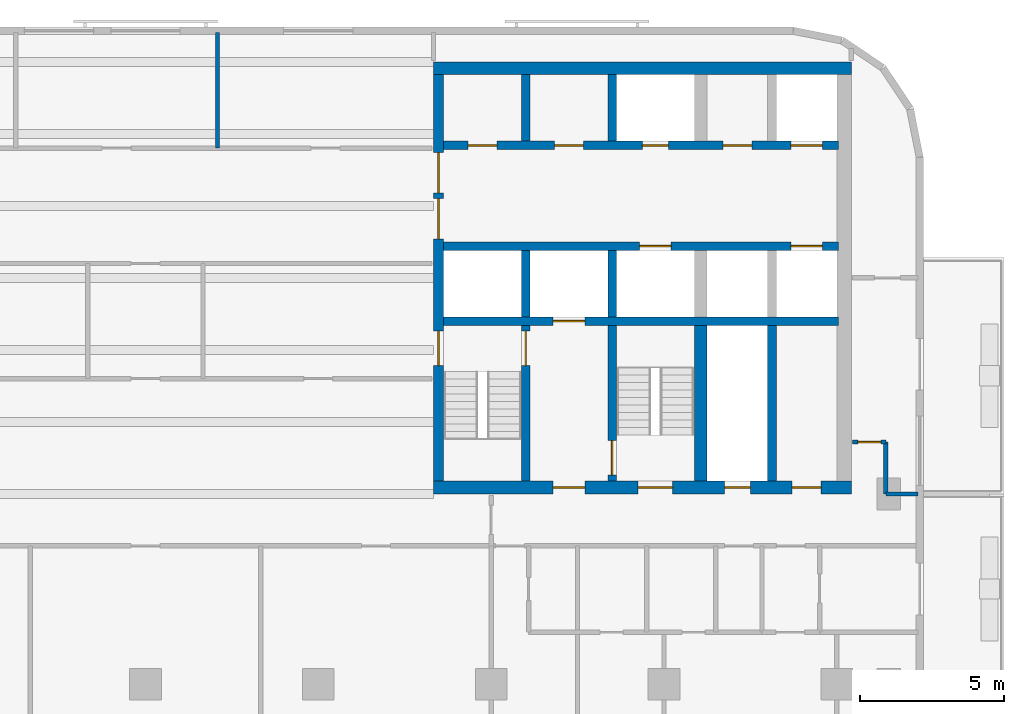
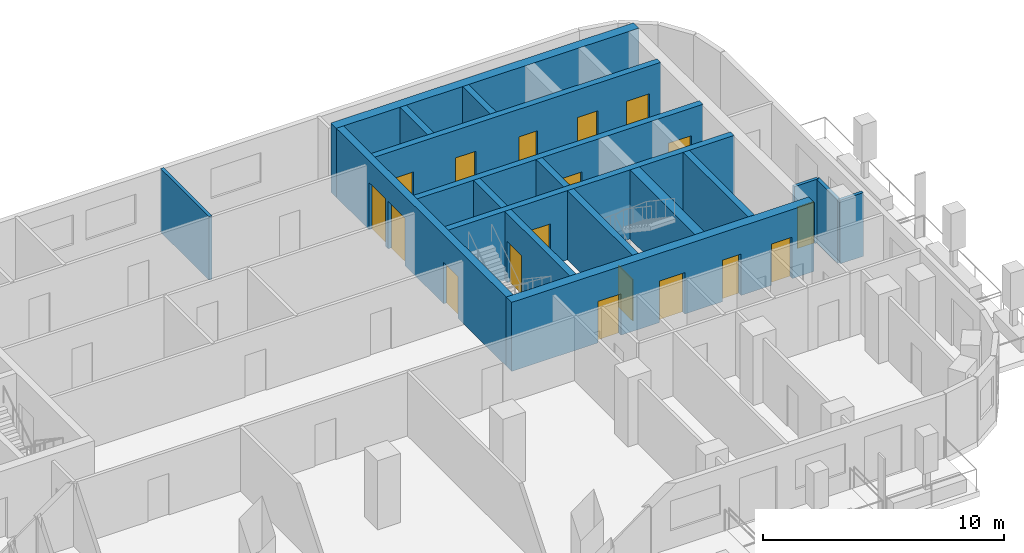
# One storey, part 6 of 11: 18 doors, 18 walls, 18 openings.
"""IFC4 building model written with IfcOpenShell, lengths in metres."""

from ifc_helpers import new_model, si_unit, direction, frame, frame_2d, origin, place, context, subcontext, project, spatial, rectangle, extrude, material, layer, layer_set, type_object, element, fill, save


model = new_model("IFC4")

# Units and contexts
model_context = context("Model", 3, precision=1e-05, world=origin(), true_north=direction((0.0, 1.0)))
body_context = subcontext(model_context, "Body", "Model", "MODEL_VIEW")
ifc_project = project(units=[si_unit("LENGTHUNIT", "METRE"), si_unit("AREAUNIT", "SQUARE_METRE"), si_unit("VOLUMEUNIT", "CUBIC_METRE"), si_unit("PLANEANGLEUNIT", "RADIAN"), si_unit("MASSUNIT", "GRAM", prefix="KILO")], contexts=[model_context])

# Site, building, storey
site_placement = place(None, origin())
site = spatial("IfcSite", under=ifc_project, at=site_placement, CompositionType="ELEMENT")
building_placement = place(site_placement, origin())
building = spatial("IfcBuilding", under=site, at=building_placement, Name="Torana Hotel and Residences", CompositionType="ELEMENT")
storey_placement = place(building_placement, frame((0.0, 0.0, 187.10009765625)))
storey = spatial("IfcBuildingStorey", under=building, at=storey_placement, Name="L48", CompositionType="ELEMENT", Elevation=187.10009765625)

# Wall, openings, doors
ifc_material_1 = material(Name="Concrete C70/85", Category="concrete")
ifc_layer_1 = layer(ifc_material_1, 0.300048828125)
ifc_layer_set_1 = layer_set([ifc_layer_1], Name="CORE WALL 300 C70/85")
wall_type_1 = type_object("IfcWallType", Name="CORE WALL 300 C70/85", PredefinedType="SHEAR", material=ifc_layer_set_1)
wall_1_placement = place(storey_placement, frame((10.35009765625, -2.89990234375, 0.0), z_axis=(0.0, 0.0, 1.0), x_axis=(1.0, 0.0, 0.0)))
wall_1 = element("IfcWall", 1, at=wall_1_placement, inside=storey, type_object=wall_type_1, Name="Core wall E row-N", PredefinedType="SHEAR", context=body_context, shape_type="SweptSolid", body=[
    extrude(rectangle(XDim=13.699951171875, YDim=0.300048828125, at=frame_2d((6.85009765625, 0.0))), origin(), (0.0, 0.0, 1.0), 3.5),
])
opening_1_placement = place(wall_1_placement, frame((12.050048828125, 0.0, 0.0)))
opening_1 = element("IfcOpeningElement", 2, at=opening_1_placement, cuts=wall_1, Name="Opening LD", PredefinedType="OPENING", context=body_context, shape_type="SweptSolid", body=[
    extrude(rectangle(XDim=1.10009765625, YDim=2.10009765625, at=frame_2d((0.550048828125, 1.050048828125))), frame((0.0, 0.159912109375, 0.0), z_axis=(0.0, -1.0, 0.0), x_axis=(1.0, 0.0, 0.0)), (0.0, 0.0, 1.0), 0.320068359375),
])
opening_2_placement = place(wall_1_placement, frame((6.89990234375, 0.0, 0.0)))
opening_2 = element("IfcOpeningElement", 3, at=opening_2_placement, cuts=wall_1, Name="Opening L48-21", PredefinedType="OPENING", context=body_context, shape_type="SweptSolid", body=[
    extrude(rectangle(XDim=0.89990234375, YDim=2.10009765625, at=frame_2d((0.449951171875, 1.050048828125))), frame((0.0, 0.159912109375, 0.0), z_axis=(0.0, -1.0, 0.0), x_axis=(1.0, 0.0, 0.0)), (0.0, 0.0, 1.0), 0.320068359375),
])
opening_3_placement = place(wall_1_placement, frame((0.85009765625, 0.0, 0.0)))
opening_3 = element("IfcOpeningElement", 4, at=opening_3_placement, cuts=wall_1, Name="Opening L48-22", PredefinedType="OPENING", context=body_context, shape_type="SweptSolid", body=[
    extrude(rectangle(XDim=1.0, YDim=2.10009765625, at=frame_2d((0.5, 1.050048828125))), frame((0.0, 0.159912109375, 0.0), z_axis=(0.0, -1.0, 0.0), x_axis=(1.0, 0.0, 0.0)), (0.0, 0.0, 1.0), 0.320068359375),
])
opening_4_placement = place(wall_1_placement, frame((3.85009765625, 0.0, 0.0)))
opening_4 = element("IfcOpeningElement", 5, at=opening_4_placement, cuts=wall_1, Name="Opening L48-23", PredefinedType="OPENING", context=body_context, shape_type="SweptSolid", body=[
    extrude(rectangle(XDim=1.0, YDim=2.10009765625, at=frame_2d((0.5, 1.050048828125))), frame((0.0, 0.159912109375, 0.0), z_axis=(0.0, -1.0, 0.0), x_axis=(1.0, 0.0, 0.0)), (0.0, 0.0, 1.0), 0.320068359375),
])
opening_5_placement = place(wall_1_placement, frame((9.699951171875, 0.0, 0.0)))
opening_5 = element("IfcOpeningElement", 6, at=opening_5_placement, cuts=wall_1, Name="Opening L48-24", PredefinedType="OPENING", context=body_context, shape_type="SweptSolid", body=[
    extrude(rectangle(XDim=1.0, YDim=2.10009765625, at=frame_2d((0.5, 1.050048828125))), frame((0.0, 0.159912109375, 0.0), z_axis=(0.0, -1.0, 0.0), x_axis=(1.0, 0.0, 0.0)), (0.0, 0.0, 1.0), 0.320068359375),
])
ifc_material_2 = material(Name="Steel S235", Category="steel")
door_type_1 = type_object("IfcDoorType", Name="CORE ROOM FIRE DOOR D14 1000x2100", OperationType="SINGLE_SWING_LEFT", PredefinedType="DOOR", material=ifc_material_2)
door_1_placement = place(opening_3_placement, origin())
door_1 = element("IfcDoor", 7, at=door_1_placement, inside=storey, type_object=door_type_1, Name="N0 door L48", OperationType="SINGLE_SWING_RIGHT", OverallHeight=2.10009765625, OverallWidth=1.0, PredefinedType="DOOR", context=body_context, shape_type="SweptSolid", body=[
    extrude(rectangle(XDim=1.0, YDim=2.10009765625, at=frame_2d((0.5, 1.050048828125))), frame((0.0, 0.02490234375, 0.0), z_axis=(0.0, -1.0, 0.0), x_axis=(1.0, 0.0, 0.0)), (0.0, 0.0, 1.0), 0.050048828125),
])
fill(opening_3, door_1)
door_2_placement = place(opening_4_placement, origin())
door_2 = element("IfcDoor", 8, at=door_2_placement, inside=storey, type_object=door_type_1, Name="N1 door L48", OperationType="SINGLE_SWING_RIGHT", OverallHeight=2.10009765625, OverallWidth=1.0, PredefinedType="DOOR", context=body_context, shape_type="SweptSolid", body=[
    extrude(rectangle(XDim=1.0, YDim=2.10009765625, at=frame_2d((0.5, 1.050048828125))), frame((0.0, 0.02490234375, 0.0), z_axis=(0.0, -1.0, 0.0), x_axis=(1.0, 0.0, 0.0)), (0.0, 0.0, 1.0), 0.050048828125),
])
fill(opening_4, door_2)
door_3_placement = place(opening_5_placement, origin())
door_3 = element("IfcDoor", 9, at=door_3_placement, inside=storey, type_object=door_type_1, Name="Freed-S2 door L48", OperationType="SINGLE_SWING_RIGHT", OverallHeight=2.10009765625, OverallWidth=1.0, PredefinedType="DOOR", context=body_context, shape_type="SweptSolid", body=[
    extrude(rectangle(XDim=1.0, YDim=2.10009765625, at=frame_2d((0.5, 1.050048828125))), frame((0.0, 0.02490234375, 0.0), z_axis=(0.0, -1.0, 0.0), x_axis=(1.0, 0.0, 0.0)), (0.0, 0.0, 1.0), 0.050048828125),
])
fill(opening_5, door_3)
ifc_material_3 = material(Name="Stainless steel 316", Category="steel")
door_type_2 = type_object("IfcDoorType", Name="LIFT LANDING DOOR LD 1100x2100", OperationType="DOUBLE_DOOR_SLIDING", PredefinedType="USERDEFINED", material=ifc_material_3)
door_4_placement = place(opening_1_placement, origin())
door_4 = element("IfcDoor", 10, at=door_4_placement, inside=storey, type_object=door_type_2, Name="Lift landing door M3 L48", ObjectType="LIFT LANDING DOOR", OperationType="DOUBLE_DOOR_SLIDING", OverallHeight=2.10009765625, OverallWidth=1.10009765625, PredefinedType="USERDEFINED", context=body_context, shape_type="SweptSolid", body=[
    extrude(rectangle(XDim=1.10009765625, YDim=2.10009765625, at=frame_2d((0.550048828125, 1.050048828125))), frame((0.0, 0.02490234375, 0.0), z_axis=(0.0, -1.0, 0.0), x_axis=(1.0, 0.0, 0.0)), (0.0, 0.0, 1.0), 0.050048828125),
])
fill(opening_1, door_4)
ifc_material_4 = material(Name="Steel S235", Category="steel")
door_type_3 = type_object("IfcDoorType", Name="RISER ACCESS DOOR D5 900x2100", OperationType="SINGLE_SWING_LEFT", PredefinedType="DOOR", material=ifc_material_4)
door_5_placement = place(opening_2_placement, origin())
door_5 = element("IfcDoor", 11, at=door_5_placement, inside=storey, type_object=door_type_3, Name="N2 door L48", OperationType="SINGLE_SWING_RIGHT", OverallHeight=2.10009765625, OverallWidth=0.89990234375, PredefinedType="DOOR", context=body_context, shape_type="SweptSolid", body=[
    extrude(rectangle(XDim=0.89990234375, YDim=2.10009765625, at=frame_2d((0.449951171875, 1.050048828125))), frame((0.0, 0.02490234375, 0.0), z_axis=(0.0, -1.0, 0.0), x_axis=(1.0, 0.0, 0.0)), (0.0, 0.0, 1.0), 0.050048828125),
])
fill(opening_2, door_5)

wall_2_placement = place(storey_placement, frame((10.35009765625, -6.39990234375, 0.0), z_axis=(0.0, 0.0, 1.0), x_axis=(1.0, 0.0, 0.0)))
wall_2 = element("IfcWall", 12, at=wall_2_placement, inside=storey, type_object=wall_type_1, Name="Core wall E row-S", PredefinedType="SHEAR", context=body_context, shape_type="SweptSolid", body=[
    extrude(rectangle(XDim=13.699951171875, YDim=0.300048828125, at=frame_2d((6.85009765625, 0.0))), origin(), (0.0, 0.0, 1.0), 3.5),
])
opening_6_placement = place(wall_2_placement, frame((12.050048828125, 0.0, 0.0)))
opening_6 = element("IfcOpeningElement", 13, at=opening_6_placement, cuts=wall_2, Name="Opening LD", PredefinedType="OPENING", context=body_context, shape_type="SweptSolid", body=[
    extrude(rectangle(XDim=1.10009765625, YDim=2.10009765625, at=frame_2d((0.550048828125, 1.050048828125))), frame((0.0, 0.159912109375, 0.0), z_axis=(0.0, -1.0, 0.0), x_axis=(1.0, 0.0, 0.0)), (0.0, 0.0, 1.0), 0.320068359375),
])
opening_7_placement = place(wall_2_placement, frame((6.800048828125, 0.0, 0.0)))
opening_7 = element("IfcOpeningElement", 14, at=opening_7_placement, cuts=wall_2, Name="Opening LD", PredefinedType="OPENING", context=body_context, shape_type="SweptSolid", body=[
    extrude(rectangle(XDim=1.10009765625, YDim=2.10009765625, at=frame_2d((0.550048828125, 1.050048828125))), frame((0.0, 0.159912109375, 0.0), z_axis=(0.0, -1.0, 0.0), x_axis=(1.0, 0.0, 0.0)), (0.0, 0.0, 1.0), 0.320068359375),
])
door_6_placement = place(opening_6_placement, origin())
door_6 = element("IfcDoor", 15, at=door_6_placement, inside=storey, type_object=door_type_2, Name="Lift landing door M4 L48", ObjectType="LIFT LANDING DOOR", OperationType="DOUBLE_DOOR_SLIDING", OverallHeight=2.10009765625, OverallWidth=1.10009765625, PredefinedType="USERDEFINED", context=body_context, shape_type="SweptSolid", body=[
    extrude(rectangle(XDim=1.10009765625, YDim=2.10009765625, at=frame_2d((0.550048828125, 1.050048828125))), frame((0.0, 0.02490234375, 0.0), z_axis=(0.0, -1.0, 0.0), x_axis=(1.0, 0.0, 0.0)), (0.0, 0.0, 1.0), 0.050048828125),
])
fill(opening_6, door_6)
door_7_placement = place(opening_7_placement, origin())
door_7 = element("IfcDoor", 16, at=door_7_placement, inside=storey, type_object=door_type_2, Name="Lift landing door SV2 L48", ObjectType="LIFT LANDING DOOR", OperationType="DOUBLE_DOOR_SLIDING", OverallHeight=2.10009765625, OverallWidth=1.10009765625, PredefinedType="USERDEFINED", context=body_context, shape_type="SweptSolid", body=[
    extrude(rectangle(XDim=1.10009765625, YDim=2.10009765625, at=frame_2d((0.550048828125, 1.050048828125))), frame((0.0, 0.02490234375, 0.0), z_axis=(0.0, -1.0, 0.0), x_axis=(1.0, 0.0, 0.0)), (0.0, 0.0, 1.0), 0.050048828125),
])
fill(opening_7, door_7)

# Wall, opening, door
wall_3_placement = place(storey_placement, frame((10.35009765625, -9.0, 0.0), z_axis=(0.0, 0.0, 1.0), x_axis=(1.0, 0.0, 0.0)))
wall_3 = element("IfcWall", 17, at=wall_3_placement, inside=storey, type_object=wall_type_1, Name="Core wall E band", PredefinedType="SHEAR", context=body_context, shape_type="SweptSolid", body=[
    extrude(rectangle(XDim=13.699951171875, YDim=0.300048828125, at=frame_2d((6.85009765625, 0.0))), origin(), (0.0, 0.0, 1.0), 3.5),
])
opening_8_placement = place(wall_3_placement, frame((3.800048828125, 0.0, 0.0)))
opening_8 = element("IfcOpeningElement", 18, at=opening_8_placement, cuts=wall_3, Name="Opening LD", PredefinedType="OPENING", context=body_context, shape_type="SweptSolid", body=[
    extrude(rectangle(XDim=1.10009765625, YDim=2.10009765625, at=frame_2d((0.550048828125, 1.050048828125))), frame((0.0, 0.159912109375, 0.0), z_axis=(0.0, -1.0, 0.0), x_axis=(1.0, 0.0, 0.0)), (0.0, 0.0, 1.0), 0.320068359375),
])
door_8_placement = place(opening_8_placement, origin())
door_8 = element("IfcDoor", 19, at=door_8_placement, inside=storey, type_object=door_type_2, Name="Lift landing door FF2 L48", ObjectType="LIFT LANDING DOOR", OperationType="DOUBLE_DOOR_SLIDING", OverallHeight=2.10009765625, OverallWidth=1.10009765625, PredefinedType="USERDEFINED", context=body_context, shape_type="SweptSolid", body=[
    extrude(rectangle(XDim=1.10009765625, YDim=2.10009765625, at=frame_2d((0.550048828125, 1.050048828125))), frame((0.0, 0.02490234375, 0.0), z_axis=(0.0, -1.0, 0.0), x_axis=(1.0, 0.0, 0.0)), (0.0, 0.0, 1.0), 0.050048828125),
])
fill(opening_8, door_8)

# Walls
for number, where, z_axis, x_axis, name in (
    (20, (13.199951171875, -2.75, 0.0), (0.0, 0.0, 1.0), (0.0, 1.0, 0.0), "Core wall E x3.05-N"),
    (21, (13.199951171875, -8.85009765625, 0.0), (0.0, 0.0, 1.0), (0.0, 1.0, 0.0), "Core wall E x3.05-S"),
):
    element("IfcWall", number, at=place(storey_placement, frame(where, z_axis=z_axis, x_axis=x_axis)), inside=storey, type_object=wall_type_1, Name=name, PredefinedType="SHEAR", context=body_context, shape_type="SweptSolid", body=[
        extrude(rectangle(XDim=2.300048828125, YDim=0.300048828125, at=frame_2d((1.14990234375, 0.0))), origin(), (0.0, 0.0, 1.0), 3.5),
    ])

# Wall, opening, door
wall_4_placement = place(storey_placement, frame((13.199951171875, -14.550048828125, 0.0), z_axis=(0.0, 0.0, 1.0), x_axis=(0.0, 1.0, 0.0)))
wall_4 = element("IfcWall", 22, at=wall_4_placement, inside=storey, type_object=wall_type_1, Name="Core wall E x3.05-band", PredefinedType="SHEAR", context=body_context, shape_type="SweptSolid", body=[
    extrude(rectangle(XDim=5.400146484375, YDim=0.300048828125, at=frame_2d((2.7001953125, 0.0))), origin(), (0.0, 0.0, 1.0), 3.5),
])
opening_9_placement = place(wall_4_placement, frame((4.0, 0.0, 0.0)))
opening_9 = element("IfcOpeningElement", 23, at=opening_9_placement, cuts=wall_4, Name="Opening L48-25", PredefinedType="OPENING", context=body_context, shape_type="SweptSolid", body=[
    extrude(rectangle(XDim=1.199951171875, YDim=2.10009765625, at=frame_2d((0.60009765625, 1.050048828125))), frame((0.0, 0.159912109375, 0.0), z_axis=(0.0, -1.0, 0.0), x_axis=(1.0, 0.0, 0.0)), (0.0, 0.0, 1.0), 0.320068359375),
])
ifc_material_5 = material(Name="Steel S235", Category="steel")
door_type_4 = type_object("IfcDoorType", Name="STAIR FIRE DOOR D3 1200x2100", OperationType="SINGLE_SWING_LEFT", PredefinedType="DOOR", material=ifc_material_5)
door_9_placement = place(opening_9_placement, origin())
door_9 = element("IfcDoor", 24, at=door_9_placement, inside=storey, type_object=door_type_4, Name="Stair-A-lobby door L48", OperationType="SINGLE_SWING_LEFT", OverallHeight=2.10009765625, OverallWidth=1.199951171875, PredefinedType="DOOR", context=body_context, shape_type="SweptSolid", body=[
    extrude(rectangle(XDim=1.199951171875, YDim=2.10009765625, at=frame_2d((0.60009765625, 1.050048828125))), frame((0.0, 0.02490234375, 0.0), z_axis=(0.0, -1.0, 0.0), x_axis=(1.0, 0.0, 0.0)), (0.0, 0.0, 1.0), 0.050048828125),
])
fill(opening_9, door_9)

# Walls
for number, where, z_axis, x_axis, name in (
    (25, (16.199951171875, -2.75, 0.0), (0.0, 0.0, 1.0), (0.0, 1.0, 0.0), "Core wall E x6.05-N"),
    (26, (16.199951171875, -8.85009765625, 0.0), (0.0, 0.0, 1.0), (0.0, 1.0, 0.0), "Core wall E x6.05-S"),
):
    element("IfcWall", number, at=place(storey_placement, frame(where, z_axis=z_axis, x_axis=x_axis)), inside=storey, type_object=wall_type_1, Name=name, PredefinedType="SHEAR", context=body_context, shape_type="SweptSolid", body=[
        extrude(rectangle(XDim=2.300048828125, YDim=0.300048828125, at=frame_2d((1.14990234375, 0.0))), origin(), (0.0, 0.0, 1.0), 3.5),
    ])

# Wall, opening, door
wall_5_placement = place(storey_placement, frame((16.199951171875, -14.550048828125, 0.0), z_axis=(0.0, 0.0, 1.0), x_axis=(0.0, 1.0, 0.0)))
wall_5 = element("IfcWall", 27, at=wall_5_placement, inside=storey, type_object=wall_type_1, Name="Core wall E x6.05-band", PredefinedType="SHEAR", context=body_context, shape_type="SweptSolid", body=[
    extrude(rectangle(XDim=5.400146484375, YDim=0.300048828125, at=frame_2d((2.7001953125, 0.0))), origin(), (0.0, 0.0, 1.0), 3.5),
])
opening_10_placement = place(wall_5_placement, frame((0.199951171875, 0.0, 0.0)))
opening_10 = element("IfcOpeningElement", 28, at=opening_10_placement, cuts=wall_5, Name="Opening L48-26", PredefinedType="OPENING", context=body_context, shape_type="SweptSolid", body=[
    extrude(rectangle(XDim=1.199951171875, YDim=2.10009765625, at=frame_2d((0.60009765625, 1.050048828125))), frame((0.0, 0.159912109375, 0.0), z_axis=(0.0, -1.0, 0.0), x_axis=(1.0, 0.0, 0.0)), (0.0, 0.0, 1.0), 0.320068359375),
])
door_10_placement = place(opening_10_placement, frame((0.60009765625, 0.0, 0.0), z_axis=(0.0, 0.0, 1.0), x_axis=(-1.0, 0.0, 0.0)))
door_10 = element("IfcDoor", 29, at=door_10_placement, inside=storey, type_object=door_type_4, Name="Stair-B-lobby door L48", OperationType="SINGLE_SWING_LEFT", OverallHeight=2.10009765625, OverallWidth=1.199951171875, PredefinedType="DOOR", context=body_context, shape_type="SweptSolid", body=[
    extrude(rectangle(XDim=1.199951171875, YDim=2.10009765625, at=frame_2d((0.0, 1.050048828125))), frame((0.0, -0.02490234375, 0.0), z_axis=(0.0, 1.0, 0.0), x_axis=(-1.0, 0.0, 0.0)), (0.0, 0.0, 1.0), 0.050048828125),
])
fill(opening_10, door_10)

# Wall
wall_6_placement = place(storey_placement, frame((21.75, -14.550048828125, 0.0), z_axis=(0.0, 0.0, 1.0), x_axis=(0.0, 1.0, 0.0)))
element("IfcWall", 30, at=wall_6_placement, inside=storey, type_object=wall_type_1, Name="Core wall E mm-band", PredefinedType="SHEAR", context=body_context, shape_type="SweptSolid", body=[
    extrude(rectangle(XDim=5.400146484375, YDim=0.300048828125, at=frame_2d((2.7001953125, 0.0))), origin(), (0.0, 0.0, 1.0), 3.5),
])

# Wall, openings, doors
ifc_material_6 = material(Name="Concrete C70/85", Category="concrete")
ifc_layer_2 = layer(ifc_material_6, 0.35009765625)
ifc_layer_set_2 = layer_set([ifc_layer_2], Name="CORE WALL 350 C70/85")
wall_type_2 = type_object("IfcWallType", Name="CORE WALL 350 C70/85", PredefinedType="SHEAR", material=ifc_layer_set_2)
wall_7_placement = place(storey_placement, frame((10.175048828125, -14.550048828125, 0.0), z_axis=(0.0, 0.0, 1.0), x_axis=(0.0, 1.0, 0.0)))
wall_7 = element("IfcWall", 31, at=wall_7_placement, inside=storey, type_object=wall_type_2, Name="Core wall E arch", PredefinedType="SHEAR", context=body_context, shape_type="SweptSolid", body=[
    extrude(rectangle(XDim=14.10009765625, YDim=0.35009765625, at=frame_2d((7.050048828125, 0.0))), origin(), (0.0, 0.0, 1.0), 3.5),
])
opening_11_placement = place(wall_7_placement, frame((8.39990234375, 0.0, 0.0)))
opening_11 = element("IfcOpeningElement", 32, at=opening_11_placement, cuts=wall_7, Name="Opening L48-14", PredefinedType="OPENING", context=body_context, shape_type="SweptSolid", body=[
    extrude(rectangle(XDim=1.39990234375, YDim=2.39990234375, at=frame_2d((0.699951171875, 1.199951171875))), frame((0.0, 0.18505859375, 0.0), z_axis=(0.0, -1.0, 0.0), x_axis=(1.0, 0.0, 0.0)), (0.0, 0.0, 1.0), 0.3701171875),
])
opening_12_placement = place(wall_7_placement, frame((10.0, 0.0, 0.0)))
opening_12 = element("IfcOpeningElement", 33, at=opening_12_placement, cuts=wall_7, Name="Opening L48-15", PredefinedType="OPENING", context=body_context, shape_type="SweptSolid", body=[
    extrude(rectangle(XDim=1.39990234375, YDim=2.39990234375, at=frame_2d((0.699951171875, 1.199951171875))), frame((0.0, 0.18505859375, 0.0), z_axis=(0.0, -1.0, 0.0), x_axis=(1.0, 0.0, 0.0)), (0.0, 0.0, 1.0), 0.3701171875),
])
opening_13_placement = place(wall_7_placement, frame((4.0, 0.0, 0.0)))
opening_13 = element("IfcOpeningElement", 34, at=opening_13_placement, cuts=wall_7, Name="Opening L48-16", PredefinedType="OPENING", context=body_context, shape_type="SweptSolid", body=[
    extrude(rectangle(XDim=1.199951171875, YDim=2.10009765625, at=frame_2d((0.60009765625, 1.050048828125))), frame((0.0, 0.18505859375, 0.0), z_axis=(0.0, -1.0, 0.0), x_axis=(1.0, 0.0, 0.0)), (0.0, 0.0, 1.0), 0.3701171875),
])
ifc_material_7 = material(Name="Steel S235", Category="steel")
door_type_5 = type_object("IfcDoorType", Name="LOBBY FIRE DOOR D4 1400x2400", OperationType="DOUBLE_DOOR_SINGLE_SWING", PredefinedType="DOOR", material=ifc_material_7)
door_11_placement = place(opening_11_placement, origin())
door_11 = element("IfcDoor", 35, at=door_11_placement, inside=storey, type_object=door_type_5, Name="Lobby-1 door L48", OperationType="DOUBLE_DOOR_SINGLE_SWING", OverallHeight=2.39990234375, OverallWidth=1.39990234375, PredefinedType="DOOR", context=body_context, shape_type="SweptSolid", body=[
    extrude(rectangle(XDim=1.39990234375, YDim=2.39990234375, at=frame_2d((0.699951171875, 1.199951171875))), frame((0.0, 0.02490234375, 0.0), z_axis=(0.0, -1.0, 0.0), x_axis=(1.0, 0.0, 0.0)), (0.0, 0.0, 1.0), 0.050048828125),
])
fill(opening_11, door_11)
door_12_placement = place(opening_12_placement, origin())
door_12 = element("IfcDoor", 36, at=door_12_placement, inside=storey, type_object=door_type_5, Name="Lobby-2 door L48", OperationType="DOUBLE_DOOR_SINGLE_SWING", OverallHeight=2.39990234375, OverallWidth=1.39990234375, PredefinedType="DOOR", context=body_context, shape_type="SweptSolid", body=[
    extrude(rectangle(XDim=1.39990234375, YDim=2.39990234375, at=frame_2d((0.699951171875, 1.199951171875))), frame((0.0, 0.02490234375, 0.0), z_axis=(0.0, -1.0, 0.0), x_axis=(1.0, 0.0, 0.0)), (0.0, 0.0, 1.0), 0.050048828125),
])
fill(opening_12, door_12)
door_13_placement = place(opening_13_placement, frame((0.60009765625, 0.0, 0.0), z_axis=(0.0, 0.0, 1.0), x_axis=(-1.0, 0.0, 0.0)))
door_13 = element("IfcDoor", 37, at=door_13_placement, inside=storey, type_object=door_type_4, Name="Stair-A door L48", OperationType="SINGLE_SWING_RIGHT", OverallHeight=2.10009765625, OverallWidth=1.199951171875, PredefinedType="DOOR", context=body_context, shape_type="SweptSolid", body=[
    extrude(rectangle(XDim=1.199951171875, YDim=2.10009765625, at=frame_2d((0.0, 1.050048828125))), frame((0.0, -0.02490234375, 0.0), z_axis=(0.0, 1.0, 0.0), x_axis=(-1.0, 0.0, 0.0)), (0.0, 0.0, 1.0), 0.050048828125),
])
fill(opening_13, door_13)

# Wall
ifc_material_8 = material(Name="Concrete C70/85", Category="concrete")
ifc_layer_3 = layer(ifc_material_8, 0.449951171875)
ifc_layer_set_3 = layer_set([ifc_layer_3], Name="CORE WALL 450 C70/85")
wall_type_3 = type_object("IfcWallType", Name="CORE WALL 450 C70/85", PredefinedType="SHEAR", material=ifc_layer_set_3)
wall_8_placement = place(storey_placement, frame((10.0, -0.22509765625, 0.0), z_axis=(0.0, 0.0, 1.0), x_axis=(1.0, 0.0, 0.0)))
element("IfcWall", 38, at=wall_8_placement, inside=storey, type_object=wall_type_3, Name="Core wall E rear", PredefinedType="SHEAR", context=body_context, shape_type="SweptSolid", body=[
    extrude(rectangle(XDim=14.5, YDim=0.449951171875, at=frame_2d((7.25, 0.0))), origin(), (0.0, 0.0, 1.0), 3.5),
])

# Wall, openings, doors
wall_9_placement = place(storey_placement, frame((10.0, -14.77490234375, 0.0), z_axis=(0.0, 0.0, 1.0), x_axis=(1.0, 0.0, 0.0)))
wall_9 = element("IfcWall", 39, at=wall_9_placement, inside=storey, type_object=wall_type_3, Name="Core wall E front", PredefinedType="SHEAR", context=body_context, shape_type="SweptSolid", body=[
    extrude(rectangle(XDim=14.5, YDim=0.449951171875, at=frame_2d((7.25, 0.0))), origin(), (0.0, 0.0, 1.0), 3.5),
])
opening_14_placement = place(wall_9_placement, frame((7.10009765625, 0.0, 0.0)))
opening_14 = element("IfcOpeningElement", 40, at=opening_14_placement, cuts=wall_9, Name="Opening L48-17", PredefinedType="OPENING", context=body_context, shape_type="SweptSolid", body=[
    extrude(rectangle(XDim=1.199951171875, YDim=2.10009765625, at=frame_2d((0.60009765625, 1.050048828125))), frame((0.0, 0.23486328125, 0.0), z_axis=(0.0, -1.0, 0.0), x_axis=(1.0, 0.0, 0.0)), (0.0, 0.0, 1.0), 0.469970703125),
])
opening_15_placement = place(wall_9_placement, frame((4.14990234375, 0.0, 0.0)))
opening_15 = element("IfcOpeningElement", 41, at=opening_15_placement, cuts=wall_9, Name="Opening L48-18", PredefinedType="OPENING", context=body_context, shape_type="SweptSolid", body=[
    extrude(rectangle(XDim=1.10009765625, YDim=2.10009765625, at=frame_2d((0.550048828125, 1.050048828125))), frame((0.0, 0.23486328125, 0.0), z_axis=(0.0, -1.0, 0.0), x_axis=(1.0, 0.0, 0.0)), (0.0, 0.0, 1.0), 0.469970703125),
])
opening_16_placement = place(wall_9_placement, frame((10.10009765625, 0.0, 0.0)))
opening_16 = element("IfcOpeningElement", 42, at=opening_16_placement, cuts=wall_9, Name="Opening L48-19", PredefinedType="OPENING", context=body_context, shape_type="SweptSolid", body=[
    extrude(rectangle(XDim=0.89990234375, YDim=2.10009765625, at=frame_2d((0.449951171875, 1.050048828125))), frame((0.0, 0.23486328125, 0.0), z_axis=(0.0, -1.0, 0.0), x_axis=(1.0, 0.0, 0.0)), (0.0, 0.0, 1.0), 0.469970703125),
])
opening_17_placement = place(wall_9_placement, frame((12.449951171875, 0.0, 0.0)))
opening_17 = element("IfcOpeningElement", 43, at=opening_17_placement, cuts=wall_9, Name="Opening L48-20", PredefinedType="OPENING", context=body_context, shape_type="SweptSolid", body=[
    extrude(rectangle(XDim=1.0, YDim=2.10009765625, at=frame_2d((0.5, 1.050048828125))), frame((0.0, 0.23486328125, 0.0), z_axis=(0.0, -1.0, 0.0), x_axis=(1.0, 0.0, 0.0)), (0.0, 0.0, 1.0), 0.469970703125),
])
door_14_placement = place(opening_17_placement, origin())
door_14 = element("IfcDoor", 44, at=door_14_placement, inside=storey, type_object=door_type_1, Name="M-Room door L48", OperationType="SINGLE_SWING_RIGHT", OverallHeight=2.10009765625, OverallWidth=1.0, PredefinedType="DOOR", context=body_context, shape_type="SweptSolid", body=[
    extrude(rectangle(XDim=1.0, YDim=2.10009765625, at=frame_2d((0.5, 1.050048828125))), frame((0.0, 0.02490234375, 0.0), z_axis=(0.0, -1.0, 0.0), x_axis=(1.0, 0.0, 0.0)), (0.0, 0.0, 1.0), 0.050048828125),
])
fill(opening_17, door_14)
ifc_material_9 = material(Name="Steel S235", Category="steel")
door_type_6 = type_object("IfcDoorType", Name="FIRE-FIGHTING LOBBY DOOR D8 1100x2100", OperationType="SINGLE_SWING_LEFT", PredefinedType="DOOR", material=ifc_material_9)
door_15_placement = place(opening_15_placement, origin())
door_15 = element("IfcDoor", 45, at=door_15_placement, inside=storey, type_object=door_type_6, Name="FF-lobby door L48", OperationType="SINGLE_SWING_RIGHT", OverallHeight=2.10009765625, OverallWidth=1.10009765625, PredefinedType="DOOR", context=body_context, shape_type="SweptSolid", body=[
    extrude(rectangle(XDim=1.10009765625, YDim=2.10009765625, at=frame_2d((0.550048828125, 1.050048828125))), frame((0.0, 0.02490234375, 0.0), z_axis=(0.0, -1.0, 0.0), x_axis=(1.0, 0.0, 0.0)), (0.0, 0.0, 1.0), 0.050048828125),
])
fill(opening_15, door_15)
door_16_placement = place(opening_16_placement, origin())
door_16 = element("IfcDoor", 46, at=door_16_placement, inside=storey, type_object=door_type_3, Name="M-Riser door L48", OperationType="SINGLE_SWING_RIGHT", OverallHeight=2.10009765625, OverallWidth=0.89990234375, PredefinedType="DOOR", context=body_context, shape_type="SweptSolid", body=[
    extrude(rectangle(XDim=0.89990234375, YDim=2.10009765625, at=frame_2d((0.449951171875, 1.050048828125))), frame((0.0, 0.02490234375, 0.0), z_axis=(0.0, -1.0, 0.0), x_axis=(1.0, 0.0, 0.0)), (0.0, 0.0, 1.0), 0.050048828125),
])
fill(opening_16, door_16)
door_17_placement = place(opening_14_placement, origin())
door_17 = element("IfcDoor", 47, at=door_17_placement, inside=storey, type_object=door_type_4, Name="Stair-B door L48", OperationType="SINGLE_SWING_RIGHT", OverallHeight=2.10009765625, OverallWidth=1.199951171875, PredefinedType="DOOR", context=body_context, shape_type="SweptSolid", body=[
    extrude(rectangle(XDim=1.199951171875, YDim=2.10009765625, at=frame_2d((0.60009765625, 1.050048828125))), frame((0.0, 0.02490234375, 0.0), z_axis=(0.0, -1.0, 0.0), x_axis=(1.0, 0.0, 0.0)), (0.0, 0.0, 1.0), 0.050048828125),
])
fill(opening_14, door_17)

# Walls
wall_10_placement = place(storey_placement, frame((19.27490234375, -14.550048828125, 0.0), z_axis=(0.0, 0.0, 1.0), x_axis=(0.0, 1.0, 0.0)))
element("IfcWall", 48, at=wall_10_placement, inside=storey, type_object=wall_type_3, Name="Core wall E hm-band", PredefinedType="SHEAR", context=body_context, shape_type="SweptSolid", body=[
    extrude(rectangle(XDim=5.400146484375, YDim=0.449951171875, at=frame_2d((2.7001953125, 0.0))), origin(), (0.0, 0.0, 1.0), 3.5),
])
ifc_material_10 = material(Name="Gypsum plaster")
ifc_layer_4 = layer(ifc_material_10, 0.014892578125, Name="Plaster", Category="finish")
ifc_material_11 = material(Name="Concrete blockwork", Category="masonry")
ifc_layer_5 = layer(ifc_material_11, 0.1201171875, Name="Blockwork", Category="structure")
ifc_layer_6 = layer(ifc_material_10, 0.014892578125, Name="Plaster", Category="finish")
ifc_layer_set_4 = layer_set([ifc_layer_4, ifc_layer_5, ifc_layer_6], Name="FIRE PARTITION 150 BLOCKWORK")
wall_type_4 = type_object("IfcWallType", Name="FIRE PARTITION 150 BLOCKWORK", PredefinedType="PARTITIONING", material=ifc_layer_set_4)
wall_11_placement = place(storey_placement, frame((25.699951171875, -15.0, 0.0), z_axis=(0.0, 0.0, 1.0), x_axis=(0.0, 1.0, 0.0)))
element("IfcWall", 49, at=wall_11_placement, inside=storey, type_object=wall_type_4, Name="Partition L48", PredefinedType="PARTITIONING", context=body_context, shape_type="SweptSolid", body=[
    extrude(rectangle(XDim=1.800048828125, YDim=0.14990234375, at=frame_2d((0.89990234375, 0.0))), origin(), (0.0, 0.0, 1.0), 3.219970703125),
])
wall_12_placement = place(storey_placement, frame((25.699951171875, -15.0, 0.0), z_axis=(0.0, 0.0, 1.0), x_axis=(1.0, 0.0, 0.0)))
element("IfcWall", 50, at=wall_12_placement, inside=storey, type_object=wall_type_4, Name="Partition L48", PredefinedType="PARTITIONING", context=body_context, shape_type="SweptSolid", body=[
    extrude(rectangle(XDim=1.1201171875, YDim=0.14990234375, at=frame_2d((0.56005859375, 0.0))), origin(), (0.0, 0.0, 1.0), 3.219970703125),
])

# Wall, opening, door
wall_13_placement = place(storey_placement, frame((24.550048828125, -13.199951171875, 0.0), z_axis=(0.0, 0.0, 1.0), x_axis=(1.0, 0.0, 0.0)))
wall_13 = element("IfcWall", 51, at=wall_13_placement, inside=storey, type_object=wall_type_4, Name="Partition L48", PredefinedType="PARTITIONING", context=body_context, shape_type="SweptSolid", body=[
    extrude(rectangle(XDim=1.14990234375, YDim=0.14990234375, at=frame_2d((0.574951171875, 0.0))), origin(), (0.0, 0.0, 1.0), 3.219970703125),
])
opening_18_placement = place(wall_13_placement, frame((0.175048828125, 0.0, 0.0)))
opening_18 = element("IfcOpeningElement", 52, at=opening_18_placement, cuts=wall_13, Name="Opening L48-37", PredefinedType="OPENING", context=body_context, shape_type="SweptSolid", body=[
    extrude(rectangle(XDim=0.800048828125, YDim=2.10009765625, at=frame_2d((0.39990234375, 1.050048828125))), frame((0.0, 0.0849609375, 0.0), z_axis=(0.0, -1.0, 0.0), x_axis=(1.0, 0.0, 0.0)), (0.0, 0.0, 1.0), 0.169921875),
])
ifc_material_12 = material(Name="Steel S235", Category="steel")
door_type_7 = type_object("IfcDoorType", Name="STORE FIRE DOOR D16 800x2100", OperationType="SINGLE_SWING_LEFT", PredefinedType="DOOR", material=ifc_material_12)
door_18_placement = place(opening_18_placement, origin())
door_18 = element("IfcDoor", 53, at=door_18_placement, inside=storey, type_object=door_type_7, Name="Door L48", OperationType="SINGLE_SWING_RIGHT", OverallHeight=2.10009765625, OverallWidth=0.800048828125, PredefinedType="DOOR", context=body_context, shape_type="SweptSolid", body=[
    extrude(rectangle(XDim=0.800048828125, YDim=2.10009765625, at=frame_2d((0.39990234375, 1.050048828125))), frame((0.0, 0.02490234375, 0.0), z_axis=(0.0, -1.0, 0.0), x_axis=(1.0, 0.0, 0.0)), (0.0, 0.0, 1.0), 0.050048828125),
])
fill(opening_18, door_18)

# Wall
ifc_material_13 = material(Name="Gypsum plasterboard")
ifc_layer_7 = layer(ifc_material_13, 0.012451171875, Name="Plasterboard", Category="finish")
ifc_layer_8 = layer(ifc_material_13, 0.012451171875, Name="Plasterboard", Category="finish")
ifc_material_14 = material(Name="Steel S280GD", Category="steel")
ifc_layer_9 = layer(ifc_material_14, 0.10009765625, Name="Steel studs with mineral wool", Category="insulation")
ifc_layer_10 = layer(ifc_material_13, 0.012451171875, Name="Plasterboard", Category="finish")
ifc_layer_11 = layer(ifc_material_13, 0.012451171875, Name="Plasterboard", Category="finish")
ifc_layer_set_5 = layer_set([ifc_layer_7, ifc_layer_8, ifc_layer_9, ifc_layer_10, ifc_layer_11], Name="PARTITION 150 PLASTERBOARD")
wall_type_5 = type_object("IfcWallType", Name="PARTITION 150 PLASTERBOARD", PredefinedType="PARTITIONING", material=ifc_layer_set_5)
wall_14_placement = place(storey_placement, frame((2.5, -3.0, 0.0), z_axis=(0.0, 0.0, 1.0), x_axis=(0.0, 1.0, 0.0)))
element("IfcWall", 54, at=wall_14_placement, inside=storey, type_object=wall_type_5, Name="Partition L48", PredefinedType="PARTITIONING", context=body_context, shape_type="SweptSolid", body=[
    extrude(rectangle(XDim=4.02001953125, YDim=0.14990234375, at=frame_2d((2.010009765625, 0.0))), origin(), (0.0, 0.0, 1.0), 3.219970703125),
])

save(model, "model.ifc")
